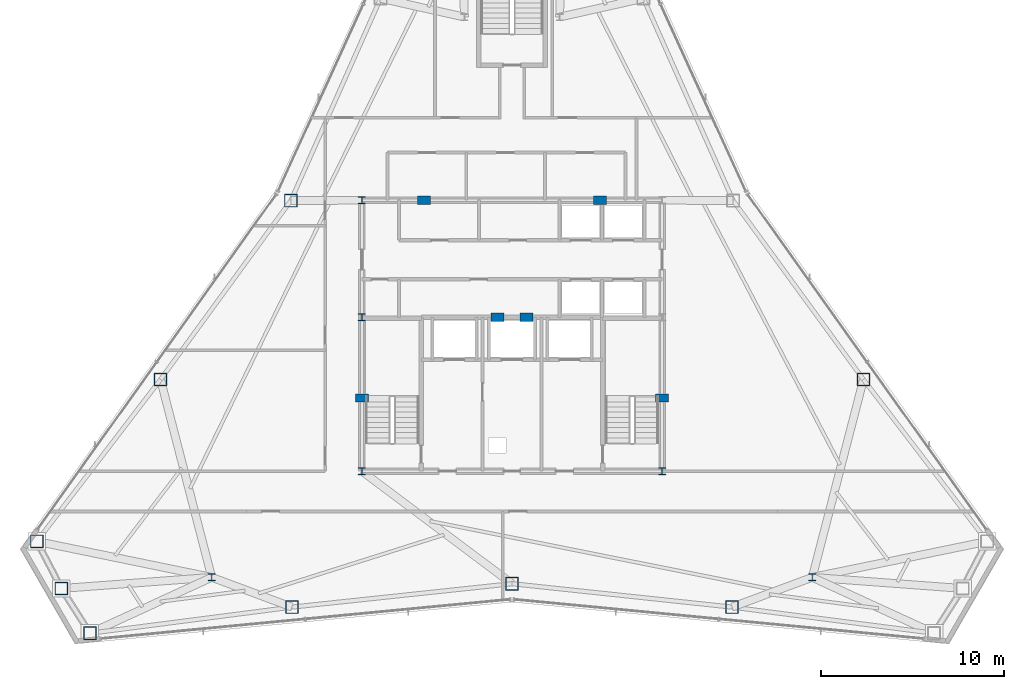
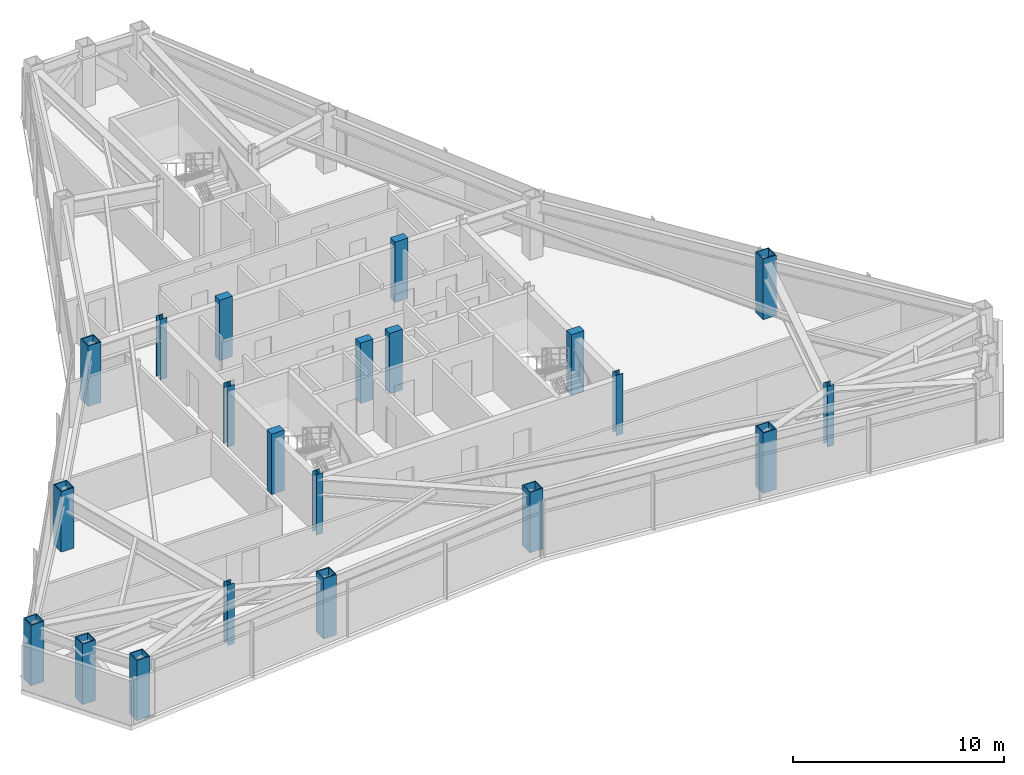
# One storey, part 1 of 11: 21 columns.
"""IFC4 building model written with IfcOpenShell, lengths in metres."""

from ifc_helpers import new_model, si_unit, direction, frame, origin, origin_2d, place, context, subcontext, project, spatial, rectangle, hollow_rectangle, i_section, extrude, material, material_profile, profile_set, type_object, element, save


model = new_model("IFC4")

# Units and contexts
model_context = context("Model", 3, precision=1e-05, world=origin(), true_north=direction((0.0, 1.0)))
body_context = subcontext(model_context, "Body", "Model", "MODEL_VIEW")
ifc_project = project(units=[si_unit("LENGTHUNIT", "METRE"), si_unit("AREAUNIT", "SQUARE_METRE"), si_unit("VOLUMEUNIT", "CUBIC_METRE"), si_unit("PLANEANGLEUNIT", "RADIAN"), si_unit("MASSUNIT", "GRAM", prefix="KILO")], contexts=[model_context])

# Site, building, storey
site_placement = place(None, origin())
site = spatial("IfcSite", under=ifc_project, at=site_placement, CompositionType="ELEMENT")
building_placement = place(site_placement, origin())
building = spatial("IfcBuilding", under=site, at=building_placement, Name="Varakhsha Concourse Tower", CompositionType="ELEMENT")
storey_placement = place(building_placement, frame((0.0, 0.0, 246.89990234375)))
storey = spatial("IfcBuildingStorey", under=building, at=storey_placement, Name="L70", CompositionType="ELEMENT", Elevation=246.89990234375)

# Columns
ifc_material_1 = material(Name="Structural Steel ASTM A992 Grade 50", Category="steel")
ifc_material_profile_1 = material_profile(ifc_material_1, i_section(OverallWidth=0.3740234375, OverallDepth=0.3720703125, WebThickness=0.01611328125, FlangeThickness=0.02587890625, at=origin_2d()), Name="W14X132")
ifc_profile_set_1 = profile_set([ifc_material_profile_1], Name="Structural Steel ASTM A992 Grade 50")
column_type_1 = type_object("IfcColumnType", Name="CL-CORE-W14X132", PredefinedType="COLUMN", material=ifc_profile_set_1)
for number, where, z_axis, x_axis, name in (
    (1, (31.800048828125, 16.39990234375, 0.0), (0.0, 0.0, 1.0), (1.0, 0.0, 0.0), "L70 Core Column CC-SW"),
    (2, (48.199951171875, 16.39990234375, 0.0), (0.0, 0.0, 1.0), (1.0, 0.0, 0.0), "L70 Core Column CC-SE"),
    (3, (31.800048828125, 24.800048828125, 0.0), (0.0, 0.0, 1.0), (1.0, 0.0, 0.0), "L70 Core Column CC-MW"),
    (4, (31.800048828125, 31.199951171875, 0.0), (0.0, 0.0, 1.0), (1.0, 0.0, 0.0), "L70 Core Column CC-NW"),
    (5, (23.60009765625, 10.60009765625, 0.0), (0.0, 0.0, 1.0), (1.0, 0.0, 0.0), "L70 Core Column SS-W"),
    (6, (56.39990234375, 10.60009765625, 0.0), (0.0, 0.0, 1.0), (1.0, 0.0, 0.0), "L70 Core Column SS-E"),
):
    element("IfcColumn", number, at=place(storey_placement, frame(where, z_axis=z_axis, x_axis=x_axis)), inside=storey, type_object=column_type_1, Name=name, PredefinedType="COLUMN", context=body_context, shape_type="SweptSolid", body=[
        extrude(i_section(OverallWidth=0.3740234375, OverallDepth=0.3720703125, WebThickness=0.01611328125, FlangeThickness=0.02587890625, at=origin_2d()), origin(), (0.0, 0.0, 1.0), 3.5),
    ])
ifc_material_2 = material(Name="Concrete fc 65 MPa", Category="concrete")
ifc_material_profile_2 = material_profile(ifc_material_2, rectangle(XDim=0.699951171875, YDim=0.449951171875, at=origin_2d()), Name="RC 700x450")
ifc_profile_set_2 = profile_set([ifc_material_profile_2], Name="Concrete fc 65 MPa")
column_type_2 = type_object("IfcColumnType", Name="CL-PIL-700X450", PredefinedType="PILASTER", material=ifc_profile_set_2)
for number, where, z_axis, x_axis, name in (
    (7, (31.800048828125, 20.39990234375, 0.0), (0.0, 0.0, 1.0), (1.0, 0.0, 0.0), "L70 Core Boundary Pilaster PIL-W1"),
    (8, (48.199951171875, 20.39990234375, 0.0), (0.0, 0.0, 1.0), (1.0, 0.0, 0.0), "L70 Core Boundary Pilaster PIL-E1"),
    (9, (35.199951171875, 31.199951171875, 0.0), (0.0, 0.0, 1.0), (1.0, 0.0, 0.0), "L70 Core Boundary Pilaster PIL-N1"),
    (10, (44.800048828125, 31.199951171875, 0.0), (0.0, 0.0, 1.0), (1.0, 0.0, 0.0), "L70 Core Boundary Pilaster PIL-N2"),
    (11, (39.199951171875, 24.800048828125, 0.0), (0.0, 0.0, 1.0), (1.0, 0.0, 0.0), "L70 Core Boundary Pilaster PIL-M1"),
    (12, (40.800048828125, 24.800048828125, 0.0), (0.0, 0.0, 1.0), (1.0, 0.0, 0.0), "L70 Core Boundary Pilaster PIL-M2"),
):
    element("IfcColumn", number, at=place(storey_placement, frame(where, z_axis=z_axis, x_axis=x_axis)), inside=storey, type_object=column_type_2, Name=name, PredefinedType="PILASTER", context=body_context, shape_type="SweptSolid", body=[
        extrude(rectangle(XDim=0.699951171875, YDim=0.449951171875, at=origin_2d()), origin(), (0.0, 0.0, 1.0), 3.5),
    ])
ifc_material_3 = material(Name="Structural Steel ASTM A572 Grade 50", Category="steel")
ifc_material_profile_3 = material_profile(ifc_material_3, hollow_rectangle(XDim=0.719970703125, YDim=0.719970703125, WallThickness=0.050048828125, at=origin_2d()), Name="BOX 720x720x50")
ifc_profile_set_3 = profile_set([ifc_material_profile_3], Name="Structural Steel ASTM A572 Grade 50")
column_type_3 = type_object("IfcColumnType", Name="CL-TUBE-720", PredefinedType="COLUMN", material=ifc_profile_set_3)
for number, where, z_axis, x_axis, name in (
    (13, (27.9208984375, 31.173828125, 0.0), (0.0, 0.0, 1.0), (1.0, 0.0, 0.0), "L70 Framed-Tube Column TC05"),
    (14, (20.802978515625, 21.404052734375, 0.0), (0.0, 0.0, 1.0), (1.0, 0.0, 0.0), "L70 Framed-Tube Column TC06"),
    (15, (14.05126953125, 12.563720703125, 0.0), (0.0, 0.0, 1.0), (1.0, 0.0, 0.0), "L70 Framed-Tube Column TC07"),
    (16, (15.389892578125, 9.991455078125, 0.0), (0.0, 0.0, 1.0), (1.0, 0.0, 0.0), "L70 Framed-Tube Column TC08"),
    (17, (16.9482421875, 7.5458984375, 0.0), (0.0, 0.0, 1.0), (1.0, 0.0, 0.0), "L70 Framed-Tube Column TC09"),
    (18, (27.97998046875, 8.972900390625, 0.0), (0.0, 0.0, 1.0), (1.0, 0.0, 0.0), "L70 Framed-Tube Column TC10"),
    (19, (40.0, 10.252197265625, 0.0), (0.0, 0.0, 1.0), (1.0, 0.0, 0.0), "L70 Framed-Tube Column TC11"),
    (20, (52.02001953125, 8.972900390625, 0.0), (0.0, 0.0, 1.0), (1.0, 0.0, 0.0), "L70 Framed-Tube Column TC12"),
    (21, (59.197021484375, 21.404052734375, 0.0), (0.0, 0.0, 1.0), (1.0, 0.0, 0.0), "L70 Framed-Tube Column TC16"),
):
    element("IfcColumn", number, at=place(storey_placement, frame(where, z_axis=z_axis, x_axis=x_axis)), inside=storey, type_object=column_type_3, Name=name, PredefinedType="COLUMN", context=body_context, shape_type="SweptSolid", body=[
        extrude(hollow_rectangle(XDim=0.719970703125, YDim=0.719970703125, WallThickness=0.050048828125, at=origin_2d()), origin(), (0.0, 0.0, 1.0), 3.5),
    ])

save(model, "model.ifc")
